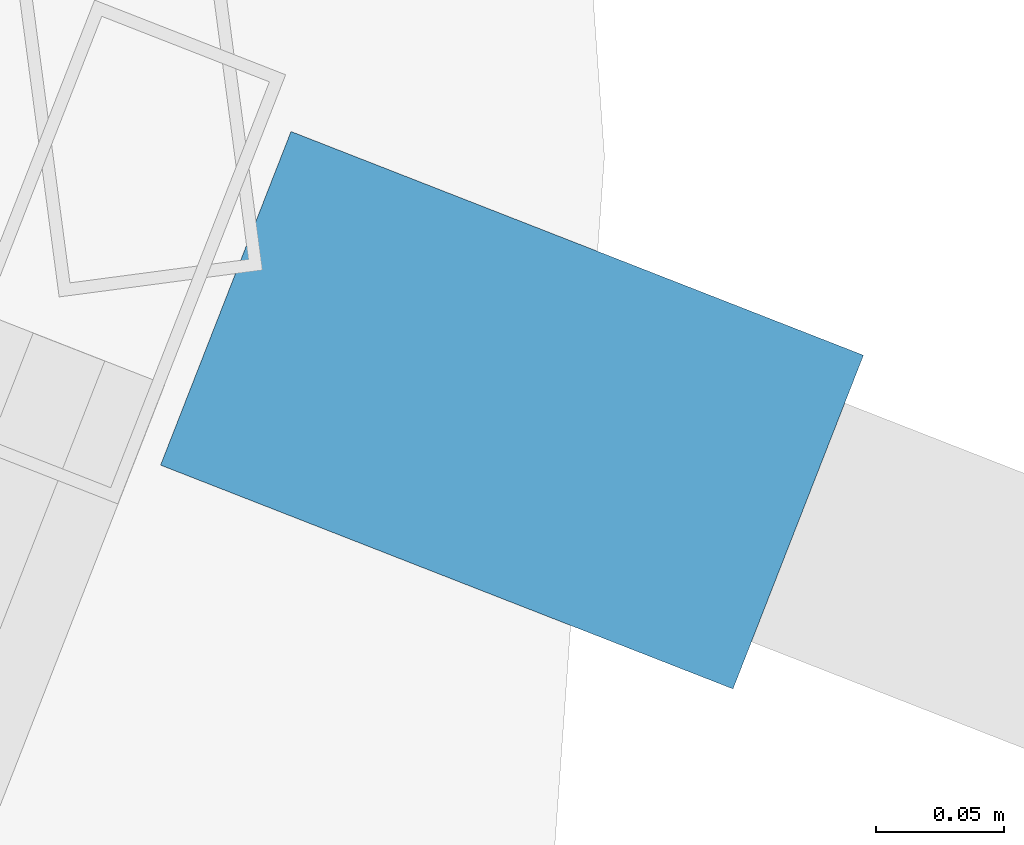
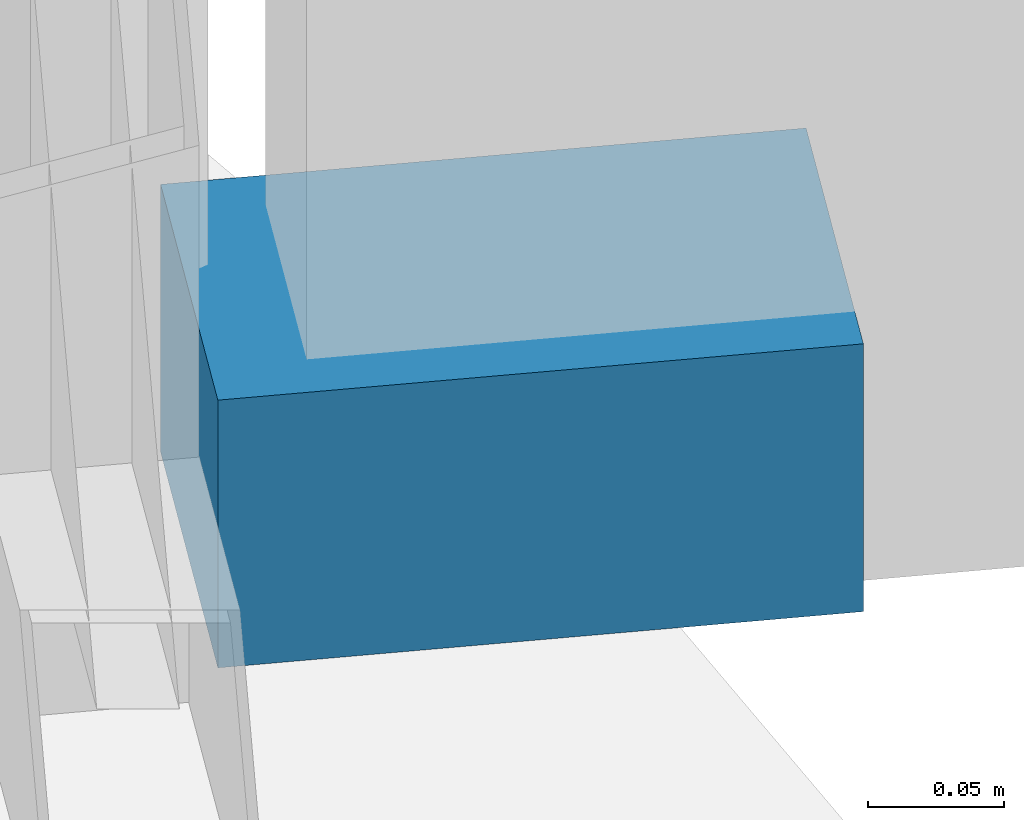
# One storey, part 30 of 33: 1 discrete accessory.
"""IFC4 building model written with IfcOpenShell, lengths in metres."""

from ifc_helpers import new_model, si_unit, direction, frame, origin, origin_2d, place, context, subcontext, project, spatial, rectangle, extrude, material, type_object, element, save


model = new_model("IFC4")

# Units and contexts
model_context = context("Model", 3, precision=1e-05, world=origin(), true_north=direction((0.0, 1.0)))
body_context = subcontext(model_context, "Body", "Model", "MODEL_VIEW")
ifc_project = project(units=[si_unit("LENGTHUNIT", "METRE"), si_unit("AREAUNIT", "SQUARE_METRE"), si_unit("VOLUMEUNIT", "CUBIC_METRE"), si_unit("PLANEANGLEUNIT", "RADIAN"), si_unit("MASSUNIT", "GRAM", prefix="KILO")], contexts=[model_context])

# Site, building, storey
site_placement = place(None, origin())
site = spatial("IfcSite", under=ifc_project, at=site_placement, CompositionType="ELEMENT")
building_placement = place(site_placement, origin())
building = spatial("IfcBuilding", under=site, at=building_placement, Name="Kazevale Care Tower and Concert Hall", CompositionType="ELEMENT")
storey_placement = place(building_placement, frame((0.0, 0.0, 153.0)))
storey = spatial("IfcBuildingStorey", under=building, at=storey_placement, Name="L40", CompositionType="ELEMENT", Elevation=153.0)

# Discrete accessory
ifc_material = material(Name="Stainless Steel 316", Category="steel")
discrete_accessory_type = type_object("IfcDiscreteAccessoryType", Name="Facade Fin Stainless Anchor Bracket BRK-1", PredefinedType="BRACKET", material=ifc_material)
discrete_accessory_placement = place(storey_placement, frame((79.36376953125, 37.90087890625, 0.0), z_axis=(0.0, 0.0, 1.0), x_axis=(0.931373876365, -0.364064146031, 0.0)))
element("IfcDiscreteAccessory", 1, at=discrete_accessory_placement, inside=storey, type_object=discrete_accessory_type, Name="cw:L40:f01:brk", PredefinedType="BRACKET", context=body_context, shape_type="SweptSolid", body=[
    extrude(rectangle(XDim=0.239990234375, YDim=0.139892578125, at=origin_2d()), origin(), (0.0, 0.0, 1.0), 0.1201171875),
])

save(model, "model.ifc")
